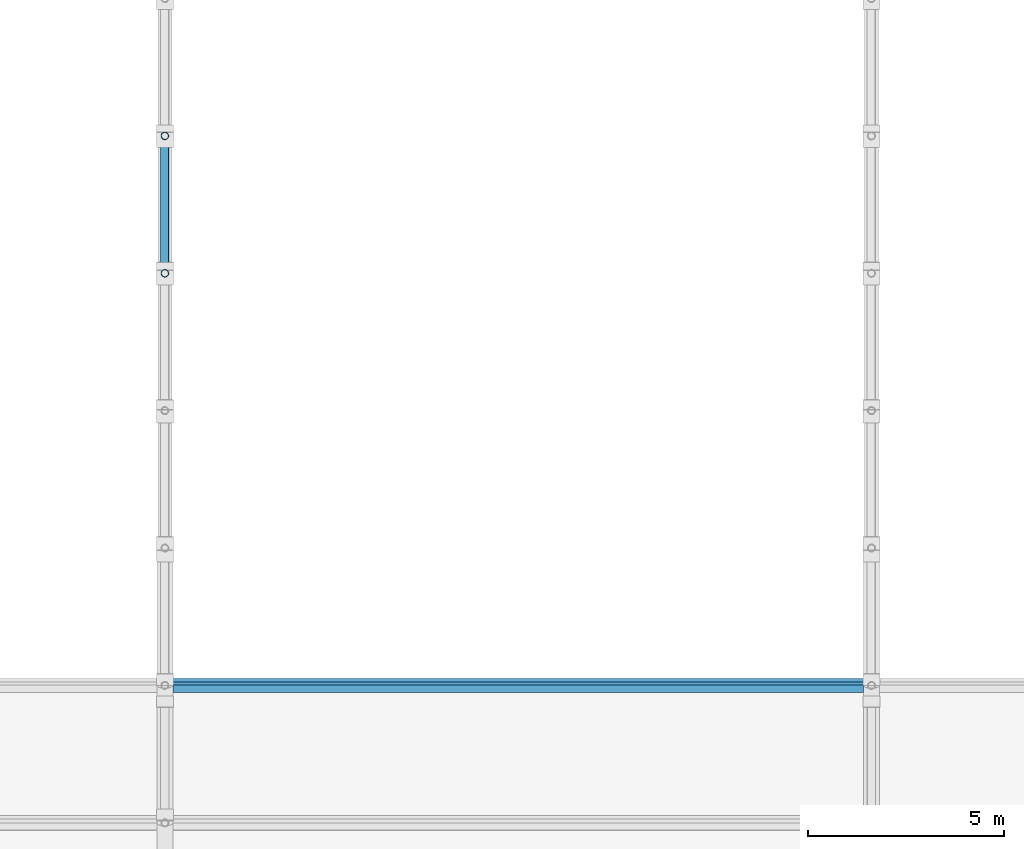
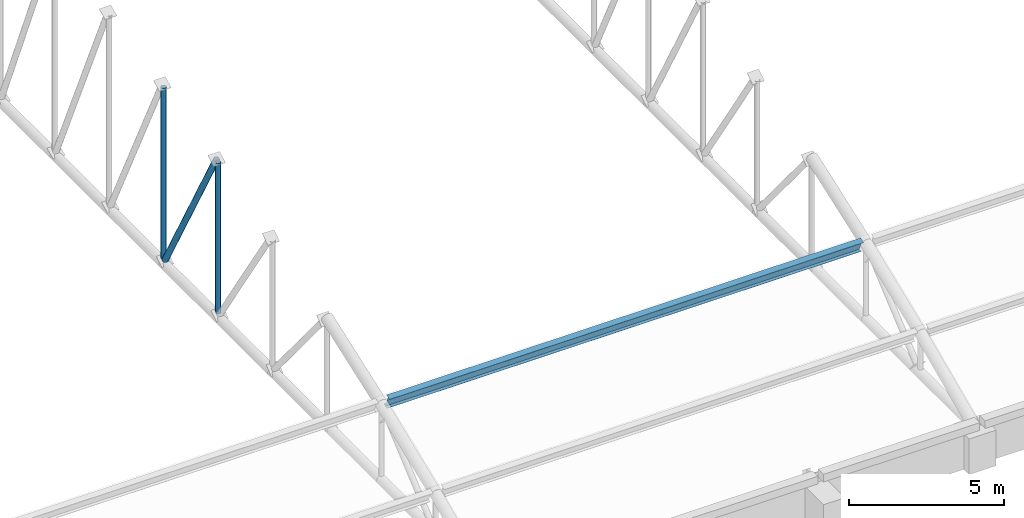
# One storey, part 36 of 196: 4 members.
"""IFC4 building model written with IfcOpenShell, lengths in metres."""

from ifc_helpers import new_model, si_unit, direction, frame, origin, origin_2d, place, context, subcontext, project, spatial, hollow_circle, i_section, extrude, material, material_profile, profile_set, type_object, element, save


model = new_model("IFC4")

# Units and contexts
model_context = context("Model", 3, precision=1e-05, world=origin(), true_north=direction((0.0, 1.0)))
body_context = subcontext(model_context, "Body", "Model", "MODEL_VIEW")
ifc_project = project(units=[si_unit("LENGTHUNIT", "METRE"), si_unit("AREAUNIT", "SQUARE_METRE"), si_unit("VOLUMEUNIT", "CUBIC_METRE"), si_unit("PLANEANGLEUNIT", "RADIAN"), si_unit("MASSUNIT", "GRAM", prefix="KILO")], contexts=[model_context])

# Site, building, storey
site_placement = place(None, origin())
site = spatial("IfcSite", under=ifc_project, at=site_placement, CompositionType="ELEMENT")
building_placement = place(site_placement, origin())
building = spatial("IfcBuilding", under=site, at=building_placement, Name="Okhra Congress Centre", CompositionType="ELEMENT")
storey_placement = place(building_placement, frame((0.0, 0.0, 12.0)))
storey = spatial("IfcBuildingStorey", under=building, at=storey_placement, Name="L02", CompositionType="ELEMENT", Elevation=12.0)

# Members
ifc_material_1 = material(Name="Steel S355J2H", Category="steel")
ifc_material_profile_1 = material_profile(ifc_material_1, hollow_circle(Radius=0.096923828125, WallThickness=0.008056640625, at=origin_2d()), Name="CHS 193.7x8.0")
ifc_profile_set_1 = profile_set([ifc_material_profile_1], Name="Steel S355J2H")
member_type_1 = type_object("IfcMemberType", Name="CHS 193.7x8.0", PredefinedType="POST", material=ifc_profile_set_1)
member_1_placement = place(storey_placement, frame((82.0, 149.5, 1.577880859375), z_axis=(0.0, 0.0, 1.0), x_axis=(1.0, 0.0, 0.0)))
element("IfcMember", 1, at=member_1_placement, inside=storey, type_object=member_type_1, Name="EH.MEM.L02.T4-VER-05", PredefinedType="POST", context=body_context, shape_type="SweptSolid", body=[
    extrude(hollow_circle(Radius=0.096923828125, WallThickness=0.008056640625, at=origin_2d()), origin(), (0.0, 0.0, 1.0), 5.917724609375),
])
member_2_placement = place(storey_placement, frame((82.0, 153.0, 1.577880859375), z_axis=(0.0, 0.0, 1.0), x_axis=(1.0, 0.0, 0.0)))
element("IfcMember", 2, at=member_2_placement, inside=storey, type_object=member_type_1, Name="EH.MEM.L02.T4-VER-06", PredefinedType="POST", context=body_context, shape_type="SweptSolid", body=[
    extrude(hollow_circle(Radius=0.096923828125, WallThickness=0.008056640625, at=origin_2d()), origin(), (0.0, 0.0, 1.0), 6.750244140625),
])
ifc_material_profile_2 = material_profile(ifc_material_1, hollow_circle(Radius=0.109619140625, WallThickness=0.010009765625, at=origin_2d()), Name="CHS 219.1x10.0")
ifc_profile_set_2 = profile_set([ifc_material_profile_2], Name="Steel S355J2H")
member_type_2 = type_object("IfcMemberType", Name="CHS 219.1x10.0", PredefinedType="BRACE", material=ifc_profile_set_2)
member_3_placement = place(storey_placement, frame((82.0, 149.5927734375, 7.538330078125), z_axis=(0.0, 0.485332749729, -0.874329527147), x_axis=(-1.0, 0.0, 0.0)))
element("IfcMember", 3, at=member_3_placement, inside=storey, type_object=member_type_2, Name="EH.MEM.L02.T4-DIA-05", PredefinedType="BRACE", context=body_context, shape_type="SweptSolid", body=[
    extrude(hollow_circle(Radius=0.109619140625, WallThickness=0.010009765625, at=origin_2d()), origin(), (0.0, 0.0, 1.0), 6.817138671875),
])
ifc_material_2 = material(Name="Steel S355J2", Category="steel")
ifc_material_profile_3 = material_profile(ifc_material_2, i_section(OverallWidth=0.199951171875, OverallDepth=0.5, WebThickness=0.01025390625, FlangeThickness=0.01611328125, at=origin_2d()), Name="IPE 500")
ifc_profile_set_3 = profile_set([ifc_material_profile_3], Name="Steel S355J2")
member_type_3 = type_object("IfcMemberType", Name="IPE 500", PredefinedType="PURLIN", material=ifc_profile_set_3)
member_4_placement = place(storey_placement, frame((82.203125, 139.0, 4.3740234375), z_axis=(1.0, 0.0, 0.0), x_axis=(0.0, 0.934732963292, 0.355350935465)))
element("IfcMember", 4, at=member_4_placement, inside=storey, type_object=member_type_3, Name="EH.MEM.L02.PU4-03", PredefinedType="PURLIN", context=body_context, shape_type="SweptSolid", body=[
    extrude(i_section(OverallWidth=0.199951171875, OverallDepth=0.5, WebThickness=0.01025390625, FlangeThickness=0.01611328125, at=origin_2d()), origin(), (0.0, 0.0, 1.0), 17.59375),
])

save(model, "model.ifc")
